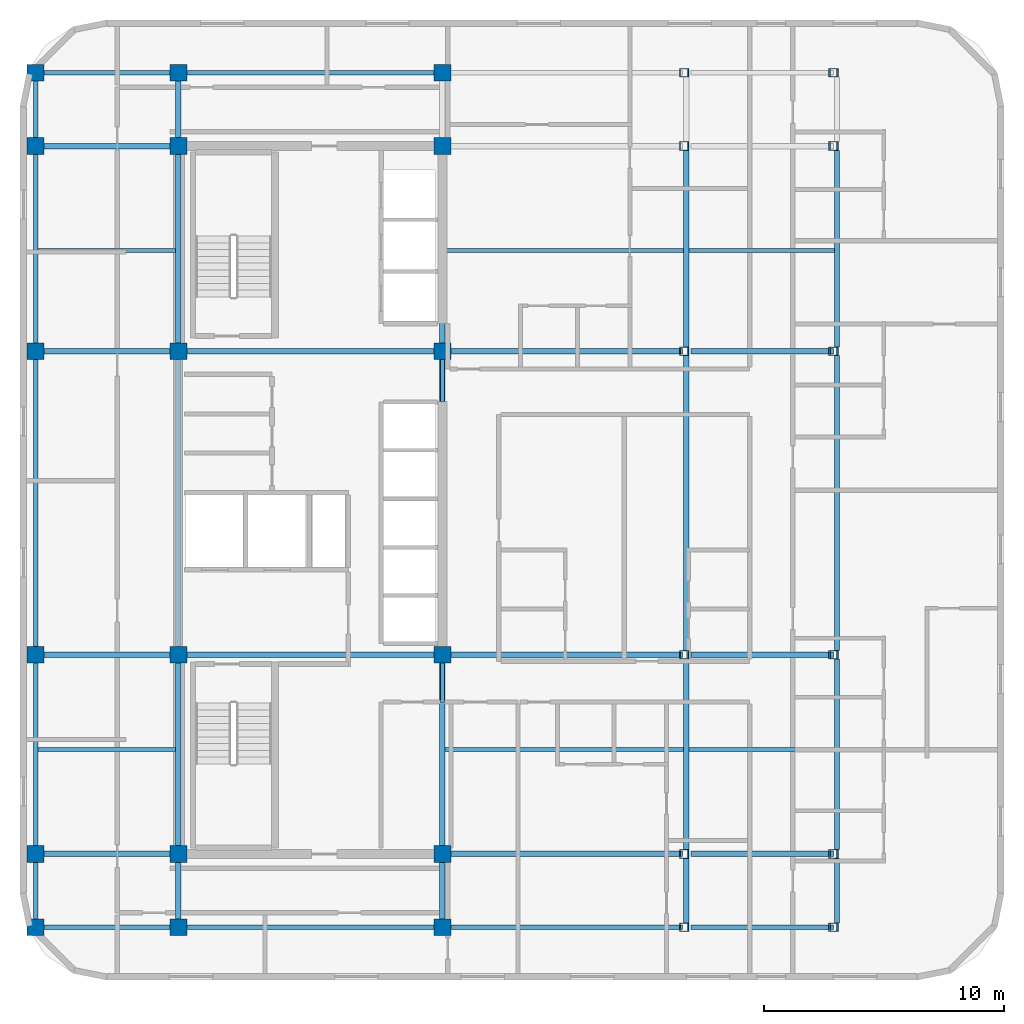
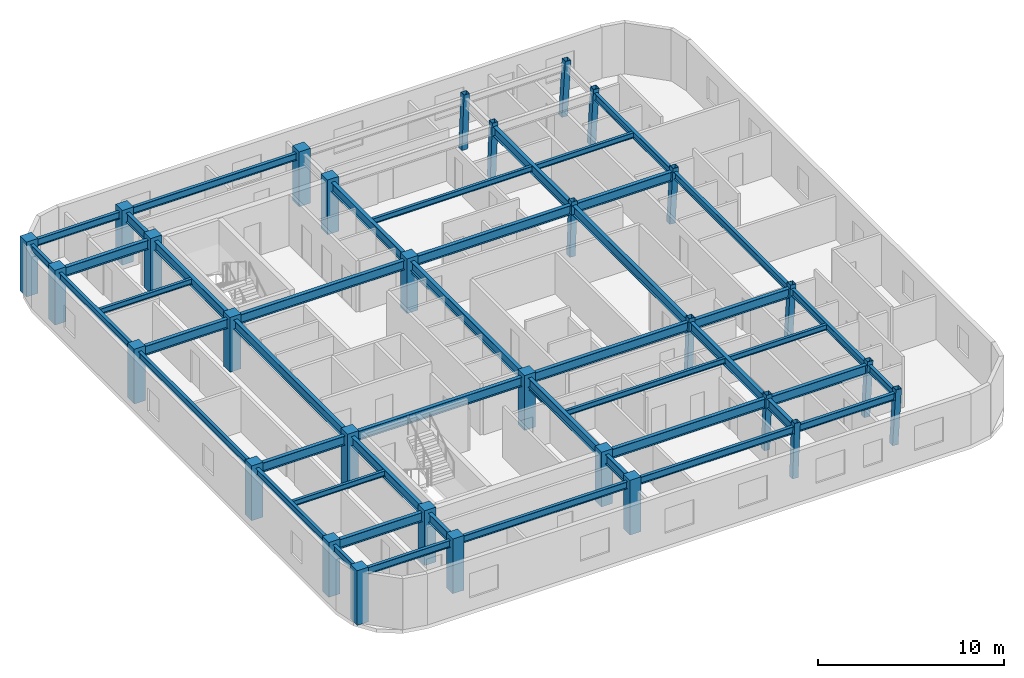
# One storey, part 1 of 8: 48 beams, 30 columns.
"""IFC4 building model written with IfcOpenShell, lengths in metres."""

from ifc_helpers import new_model, si_unit, direction, frame, origin, origin_2d, place, context, subcontext, project, spatial, rectangle, hollow_rectangle, i_section, extrude, material, material_profile, profile_set, type_object, element, save


model = new_model("IFC4")

# Units and contexts
model_context = context("Model", 3, precision=1e-05, world=origin(), true_north=direction((0.0, 1.0)))
body_context = subcontext(model_context, "Body", "Model", "MODEL_VIEW")
ifc_project = project(units=[si_unit("LENGTHUNIT", "METRE"), si_unit("AREAUNIT", "SQUARE_METRE"), si_unit("VOLUMEUNIT", "CUBIC_METRE"), si_unit("PLANEANGLEUNIT", "RADIAN"), si_unit("MASSUNIT", "GRAM", prefix="KILO")], contexts=[model_context])

# Site, building, storey
site_placement = place(None, origin())
site = spatial("IfcSite", under=ifc_project, at=site_placement, CompositionType="ELEMENT")
building_placement = place(site_placement, origin())
building = spatial("IfcBuilding", under=site, at=building_placement, Name="Ochreholt Gables", CompositionType="ELEMENT")
storey_placement = place(building_placement, frame((0.0, 0.0, 151.800048828125)))
storey = spatial("IfcBuildingStorey", under=building, at=storey_placement, Name="L39", CompositionType="ELEMENT", Elevation=151.800048828125)

# Columns
ifc_material_1 = material(Name="Steel CSA G40.21 350W", Category="steel")
ifc_material_profile_1 = material_profile(ifc_material_1, hollow_rectangle(XDim=0.35595703125, YDim=0.35595703125, WallThickness=0.01611328125, at=origin_2d()), Name="HSS356X356X16")
ifc_profile_set_1 = profile_set([ifc_material_profile_1], Name="Steel CSA G40.21 350W")
column_type_1 = type_object("IfcColumnType", Name="COL-HSS356-RAK", PredefinedType="COLUMN", material=ifc_profile_set_1)
for number, where, z_axis, x_axis, name in (
    (1, (45.2490234375, 9.25, 0.0), (0.034973505036, 0.0, 0.999388239847), (0.0, 1.0, 0.0), "L39 Column EMY2"),
    (2, (45.2490234375, 17.550048828125, 0.0), (0.034973505036, 0.0, 0.999388239847), (0.0, 1.0, 0.0), "L39 Column EMY3"),
    (3, (45.2490234375, 30.199951171875, 0.0), (0.034973505036, 0.0, 0.999388239847), (0.0, 1.0, 0.0), "L39 Column EMY4"),
    (4, (45.2490234375, 38.75, 0.0), (0.034973505036, 0.0, 0.999388239847), (0.0, 1.0, 0.0), "L39 Column EMY5"),
):
    element("IfcColumn", number, at=place(storey_placement, frame(where, z_axis=z_axis, x_axis=x_axis)), inside=storey, type_object=column_type_1, Name=name, PredefinedType="COLUMN", context=body_context, shape_type="SweptSolid", body=[
        extrude(hollow_rectangle(XDim=0.35595703125, YDim=0.35595703125, WallThickness=0.01611328125, at=origin_2d()), origin(), (0.0, 0.0, 1.0), 3.60205078125),
    ])
ifc_material_profile_2 = material_profile(ifc_material_1, hollow_rectangle(XDim=0.35595703125, YDim=0.35595703125, WallThickness=0.01611328125, at=origin_2d()), Name="HSS356X356X16")
ifc_profile_set_2 = profile_set([ifc_material_profile_2], Name="Steel CSA G40.21 350W")
column_type_2 = type_object("IfcColumnType", Name="COL-HSS356-RAKE", PredefinedType="COLUMN", material=ifc_profile_set_2)
for number, where, z_axis, x_axis, name in (
    (5, (45.2490234375, 6.199951171875, 0.0), (0.034973505036, 0.0, 0.999388239847), (0.0, 1.0, 0.0), "L39 Column EMY1"),
    (6, (45.2490234375, 41.800048828125, 0.0), (0.034973505036, 0.0, 0.999388239847), (0.0, 1.0, 0.0), "L39 Column EMY6"),
):
    element("IfcColumn", number, at=place(storey_placement, frame(where, z_axis=z_axis, x_axis=x_axis)), inside=storey, type_object=column_type_2, Name=name, PredefinedType="COLUMN", context=body_context, shape_type="SweptSolid", body=[
        extrude(hollow_rectangle(XDim=0.35595703125, YDim=0.35595703125, WallThickness=0.01611328125, at=origin_2d()), origin(), (0.0, 0.0, 1.0), 3.60205078125),
    ])
for number, where, z_axis, x_axis, name in (
    (7, (51.461181640625, 6.199951171875, 0.0), (0.057888518877, 0.0, 0.998323053617), (0.0, 1.0, 0.0), "L39 Column EEY1"),
    (8, (51.461181640625, 9.25, 0.0), (0.057888518877, 0.0, 0.998323053617), (0.0, 1.0, 0.0), "L39 Column EEY2"),
    (9, (51.461181640625, 17.550048828125, 0.0), (0.057888518877, 0.0, 0.998323053617), (0.0, 1.0, 0.0), "L39 Column EEY3"),
    (10, (51.461181640625, 30.199951171875, 0.0), (0.057888518877, 0.0, 0.998323053617), (0.0, 1.0, 0.0), "L39 Column EEY4"),
    (11, (51.461181640625, 38.75, 0.0), (0.057888518877, 0.0, 0.998323053617), (0.0, 1.0, 0.0), "L39 Column EEY5"),
    (12, (51.461181640625, 41.800048828125, 0.0), (0.057888518877, 0.0, 0.998323053617), (0.0, 1.0, 0.0), "L39 Column EEY6"),
):
    element("IfcColumn", number, at=place(storey_placement, frame(where, z_axis=z_axis, x_axis=x_axis)), inside=storey, type_object=column_type_2, Name=name, PredefinedType="COLUMN", context=body_context, shape_type="SweptSolid", body=[
        extrude(hollow_rectangle(XDim=0.35595703125, YDim=0.35595703125, WallThickness=0.01611328125, at=origin_2d()), origin(), (0.0, 0.0, 1.0), 3.60595703125),
    ])
ifc_material_2 = material(Name="Concrete 50 MPa", Category="concrete")
ifc_material_profile_3 = material_profile(ifc_material_2, rectangle(XDim=0.699951171875, YDim=0.699951171875, at=origin_2d()), Name="RC700X700")
ifc_profile_set_3 = profile_set([ifc_material_profile_3], Name="Concrete 50 MPa")
column_type_3 = type_object("IfcColumnType", Name="COL-RC700-EXT", PredefinedType="COLUMN", material=ifc_profile_set_3)
for number, where, z_axis, x_axis, name in (
    (13, (18.25, 6.199951171875, 0.0), (0.0, 0.0, 1.0), (1.0, 0.0, 0.0), "L39 Column W3Y1"),
    (14, (18.25, 9.25, 0.0), (0.0, 0.0, 1.0), (1.0, 0.0, 0.0), "L39 Column W3Y2"),
    (15, (18.25, 17.550048828125, 0.0), (0.0, 0.0, 1.0), (1.0, 0.0, 0.0), "L39 Column W3Y3"),
    (16, (18.25, 30.199951171875, 0.0), (0.0, 0.0, 1.0), (1.0, 0.0, 0.0), "L39 Column W3Y4"),
    (17, (18.25, 38.75, 0.0), (0.0, 0.0, 1.0), (1.0, 0.0, 0.0), "L39 Column W3Y5"),
    (18, (18.25, 41.800048828125, 0.0), (0.0, 0.0, 1.0), (1.0, 0.0, 0.0), "L39 Column W3Y6"),
    (19, (24.199951171875, 6.199951171875, 0.0), (0.0, 0.0, 1.0), (1.0, 0.0, 0.0), "L39 Column C1Y1"),
    (20, (24.199951171875, 41.800048828125, 0.0), (0.0, 0.0, 1.0), (1.0, 0.0, 0.0), "L39 Column C1Y6"),
    (21, (35.199951171875, 6.199951171875, 0.0), (0.0, 0.0, 1.0), (1.0, 0.0, 0.0), "L39 Column C2Y1"),
    (22, (35.199951171875, 41.800048828125, 0.0), (0.0, 0.0, 1.0), (1.0, 0.0, 0.0), "L39 Column C2Y6"),
):
    element("IfcColumn", number, at=place(storey_placement, frame(where, z_axis=z_axis, x_axis=x_axis)), inside=storey, type_object=column_type_3, Name=name, PredefinedType="COLUMN", context=body_context, shape_type="SweptSolid", body=[
        extrude(rectangle(XDim=0.699951171875, YDim=0.699951171875, at=origin_2d()), origin(), (0.0, 0.0, 1.0), 3.599853515625),
    ])
ifc_material_profile_4 = material_profile(ifc_material_2, rectangle(XDim=0.699951171875, YDim=0.699951171875, at=origin_2d()), Name="RC700X700")
ifc_profile_set_4 = profile_set([ifc_material_profile_4], Name="Concrete 50 MPa")
column_type_4 = type_object("IfcColumnType", Name="COL-RC700-INT", PredefinedType="COLUMN", material=ifc_profile_set_4)
for number, where, z_axis, x_axis, name in (
    (23, (24.199951171875, 9.25, 0.0), (0.0, 0.0, 1.0), (1.0, 0.0, 0.0), "L39 Column C1Y2"),
    (24, (24.199951171875, 17.550048828125, 0.0), (0.0, 0.0, 1.0), (1.0, 0.0, 0.0), "L39 Column C1Y3"),
    (25, (24.199951171875, 30.199951171875, 0.0), (0.0, 0.0, 1.0), (1.0, 0.0, 0.0), "L39 Column C1Y4"),
    (26, (24.199951171875, 38.75, 0.0), (0.0, 0.0, 1.0), (1.0, 0.0, 0.0), "L39 Column C1Y5"),
    (27, (35.199951171875, 9.25, 0.0), (0.0, 0.0, 1.0), (1.0, 0.0, 0.0), "L39 Column C2Y2"),
    (28, (35.199951171875, 17.550048828125, 0.0), (0.0, 0.0, 1.0), (1.0, 0.0, 0.0), "L39 Column C2Y3"),
    (29, (35.199951171875, 30.199951171875, 0.0), (0.0, 0.0, 1.0), (1.0, 0.0, 0.0), "L39 Column C2Y4"),
    (30, (35.199951171875, 38.75, 0.0), (0.0, 0.0, 1.0), (1.0, 0.0, 0.0), "L39 Column C2Y5"),
):
    element("IfcColumn", number, at=place(storey_placement, frame(where, z_axis=z_axis, x_axis=x_axis)), inside=storey, type_object=column_type_4, Name=name, PredefinedType="COLUMN", context=body_context, shape_type="SweptSolid", body=[
        extrude(rectangle(XDim=0.699951171875, YDim=0.699951171875, at=origin_2d()), origin(), (0.0, 0.0, 1.0), 3.599853515625),
    ])

# Beams
ifc_material_profile_5 = material_profile(ifc_material_1, i_section(OverallWidth=0.22900390625, OverallDepth=0.612060546875, WebThickness=0.011962890625, FlangeThickness=0.01953125, at=origin_2d()), Name="W610X125")
ifc_profile_set_5 = profile_set([ifc_material_profile_5], Name="Steel CSA G40.21 350W")
beam_type_1 = type_object("IfcBeamType", Name="BM-G-W610B", PredefinedType="BEAM", material=ifc_profile_set_5)
beam_1_placement = place(storey_placement, frame((18.599609375, 9.25, 3.053955078125), z_axis=(1.0, 0.0, 0.0), x_axis=(0.0, 1.0, 0.0)))
element("IfcBeam", 31, at=beam_1_placement, inside=storey, type_object=beam_type_1, Name="L39 Beam TBG-L39-W3C1-Y2", PredefinedType="BEAM", context=body_context, shape_type="SweptSolid", body=[
    extrude(i_section(OverallWidth=0.22900390625, OverallDepth=0.612060546875, WebThickness=0.011962890625, FlangeThickness=0.01953125, at=origin_2d()), origin(), (0.0, 0.0, 1.0), 5.250732421875),
])
beam_2_placement = place(storey_placement, frame((35.549560546875, 9.25, 3.053955078125), z_axis=(1.0, 0.0, 0.0), x_axis=(0.0, 1.0, 0.0)))
element("IfcBeam", 32, at=beam_2_placement, inside=storey, type_object=beam_type_1, Name="L39 Beam TBG-L39-C2EM-Y2", PredefinedType="BEAM", context=body_context, shape_type="SweptSolid", body=[
    extrude(i_section(OverallWidth=0.22900390625, OverallDepth=0.612060546875, WebThickness=0.011962890625, FlangeThickness=0.01953125, at=origin_2d()), origin(), (0.0, 0.0, 1.0), 9.64794921875),
])
beam_3_placement = place(storey_placement, frame((45.552490234375, 9.25, 3.053955078125), z_axis=(1.0, 0.0, 0.0), x_axis=(0.0, 1.0, 0.0)))
element("IfcBeam", 33, at=beam_3_placement, inside=storey, type_object=beam_type_1, Name="L39 Beam TBG-L39-EMEE-Y2", PredefinedType="BEAM", context=body_context, shape_type="SweptSolid", body=[
    extrude(i_section(OverallWidth=0.22900390625, OverallDepth=0.612060546875, WebThickness=0.011962890625, FlangeThickness=0.01953125, at=origin_2d()), origin(), (0.0, 0.0, 1.0), 5.93994140625),
])
beam_4_placement = place(storey_placement, frame((18.599609375, 17.550048828125, 3.053955078125), z_axis=(1.0, 0.0, 0.0), x_axis=(0.0, 1.0, 0.0)))
element("IfcBeam", 34, at=beam_4_placement, inside=storey, type_object=beam_type_1, Name="L39 Beam TBG-L39-W3C1-Y3", PredefinedType="BEAM", context=body_context, shape_type="SweptSolid", body=[
    extrude(i_section(OverallWidth=0.22900390625, OverallDepth=0.612060546875, WebThickness=0.011962890625, FlangeThickness=0.01953125, at=origin_2d()), origin(), (0.0, 0.0, 1.0), 5.250732421875),
])
beam_5_placement = place(storey_placement, frame((24.549560546875, 17.550048828125, 3.053955078125), z_axis=(1.0, 0.0, 0.0), x_axis=(0.0, 1.0, 0.0)))
element("IfcBeam", 35, at=beam_5_placement, inside=storey, type_object=beam_type_1, Name="L39 Beam TBG-L39-C1C2-Y3", PredefinedType="BEAM", context=body_context, shape_type="SweptSolid", body=[
    extrude(i_section(OverallWidth=0.22900390625, OverallDepth=0.612060546875, WebThickness=0.011962890625, FlangeThickness=0.01953125, at=origin_2d()), origin(), (0.0, 0.0, 1.0), 10.30078125),
])
beam_6_placement = place(storey_placement, frame((35.549560546875, 17.550048828125, 3.053955078125), z_axis=(1.0, 0.0, 0.0), x_axis=(0.0, 1.0, 0.0)))
element("IfcBeam", 36, at=beam_6_placement, inside=storey, type_object=beam_type_1, Name="L39 Beam TBG-L39-C2EM-Y3", PredefinedType="BEAM", context=body_context, shape_type="SweptSolid", body=[
    extrude(i_section(OverallWidth=0.22900390625, OverallDepth=0.612060546875, WebThickness=0.011962890625, FlangeThickness=0.01953125, at=origin_2d()), origin(), (0.0, 0.0, 1.0), 9.64794921875),
])
beam_7_placement = place(storey_placement, frame((45.552490234375, 17.550048828125, 3.053955078125), z_axis=(1.0, 0.0, 0.0), x_axis=(0.0, 1.0, 0.0)))
element("IfcBeam", 37, at=beam_7_placement, inside=storey, type_object=beam_type_1, Name="L39 Beam TBG-L39-EMEE-Y3", PredefinedType="BEAM", context=body_context, shape_type="SweptSolid", body=[
    extrude(i_section(OverallWidth=0.22900390625, OverallDepth=0.612060546875, WebThickness=0.011962890625, FlangeThickness=0.01953125, at=origin_2d()), origin(), (0.0, 0.0, 1.0), 5.93994140625),
])
beam_8_placement = place(storey_placement, frame((18.599609375, 30.199951171875, 3.053955078125), z_axis=(1.0, 0.0, 0.0), x_axis=(0.0, 1.0, 0.0)))
element("IfcBeam", 38, at=beam_8_placement, inside=storey, type_object=beam_type_1, Name="L39 Beam TBG-L39-W3C1-Y4", PredefinedType="BEAM", context=body_context, shape_type="SweptSolid", body=[
    extrude(i_section(OverallWidth=0.22900390625, OverallDepth=0.612060546875, WebThickness=0.011962890625, FlangeThickness=0.01953125, at=origin_2d()), origin(), (0.0, 0.0, 1.0), 5.250732421875),
])
beam_9_placement = place(storey_placement, frame((24.549560546875, 30.199951171875, 3.053955078125), z_axis=(1.0, 0.0, 0.0), x_axis=(0.0, 1.0, 0.0)))
element("IfcBeam", 39, at=beam_9_placement, inside=storey, type_object=beam_type_1, Name="L39 Beam TBG-L39-C1C2-Y4", PredefinedType="BEAM", context=body_context, shape_type="SweptSolid", body=[
    extrude(i_section(OverallWidth=0.22900390625, OverallDepth=0.612060546875, WebThickness=0.011962890625, FlangeThickness=0.01953125, at=origin_2d()), origin(), (0.0, 0.0, 1.0), 10.30078125),
])
beam_10_placement = place(storey_placement, frame((35.549560546875, 30.199951171875, 3.053955078125), z_axis=(1.0, 0.0, 0.0), x_axis=(0.0, 1.0, 0.0)))
element("IfcBeam", 40, at=beam_10_placement, inside=storey, type_object=beam_type_1, Name="L39 Beam TBG-L39-C2EM-Y4", PredefinedType="BEAM", context=body_context, shape_type="SweptSolid", body=[
    extrude(i_section(OverallWidth=0.22900390625, OverallDepth=0.612060546875, WebThickness=0.011962890625, FlangeThickness=0.01953125, at=origin_2d()), origin(), (0.0, 0.0, 1.0), 9.64794921875),
])
beam_11_placement = place(storey_placement, frame((45.552490234375, 30.199951171875, 3.053955078125), z_axis=(1.0, 0.0, 0.0), x_axis=(0.0, 1.0, 0.0)))
element("IfcBeam", 41, at=beam_11_placement, inside=storey, type_object=beam_type_1, Name="L39 Beam TBG-L39-EMEE-Y4", PredefinedType="BEAM", context=body_context, shape_type="SweptSolid", body=[
    extrude(i_section(OverallWidth=0.22900390625, OverallDepth=0.612060546875, WebThickness=0.011962890625, FlangeThickness=0.01953125, at=origin_2d()), origin(), (0.0, 0.0, 1.0), 5.93994140625),
])
beam_12_placement = place(storey_placement, frame((18.599609375, 38.75, 3.053955078125), z_axis=(1.0, 0.0, 0.0), x_axis=(0.0, 1.0, 0.0)))
element("IfcBeam", 42, at=beam_12_placement, inside=storey, type_object=beam_type_1, Name="L39 Beam TBG-L39-W3C1-Y5", PredefinedType="BEAM", context=body_context, shape_type="SweptSolid", body=[
    extrude(i_section(OverallWidth=0.22900390625, OverallDepth=0.612060546875, WebThickness=0.011962890625, FlangeThickness=0.01953125, at=origin_2d()), origin(), (0.0, 0.0, 1.0), 5.250732421875),
])
beam_13_placement = place(storey_placement, frame((24.199951171875, 6.549560546875, 3.053955078125), z_axis=(0.0, 1.0, 0.0), x_axis=(-1.0, 0.0, 0.0)))
element("IfcBeam", 43, at=beam_13_placement, inside=storey, type_object=beam_type_1, Name="L39 Beam TBN-L39-C1-Y1Y2", PredefinedType="BEAM", context=body_context, shape_type="SweptSolid", body=[
    extrude(i_section(OverallWidth=0.22900390625, OverallDepth=0.612060546875, WebThickness=0.011962890625, FlangeThickness=0.01953125, at=origin_2d()), origin(), (0.0, 0.0, 1.0), 2.350830078125),
])
beam_14_placement = place(storey_placement, frame((24.199951171875, 9.599609375, 3.053955078125), z_axis=(0.0, 1.0, 0.0), x_axis=(-1.0, 0.0, 0.0)))
element("IfcBeam", 44, at=beam_14_placement, inside=storey, type_object=beam_type_1, Name="L39 Beam TBN-L39-C1-Y2Y3", PredefinedType="BEAM", context=body_context, shape_type="SweptSolid", body=[
    extrude(i_section(OverallWidth=0.22900390625, OverallDepth=0.612060546875, WebThickness=0.011962890625, FlangeThickness=0.01953125, at=origin_2d()), origin(), (0.0, 0.0, 1.0), 7.600830078125),
])
beam_15_placement = place(storey_placement, frame((24.199951171875, 17.899658203125, 3.053955078125), z_axis=(0.0, 1.0, 0.0), x_axis=(-1.0, 0.0, 0.0)))
element("IfcBeam", 45, at=beam_15_placement, inside=storey, type_object=beam_type_1, Name="L39 Beam TBN-L39-C1-Y3Y4", PredefinedType="BEAM", context=body_context, shape_type="SweptSolid", body=[
    extrude(i_section(OverallWidth=0.22900390625, OverallDepth=0.612060546875, WebThickness=0.011962890625, FlangeThickness=0.01953125, at=origin_2d()), origin(), (0.0, 0.0, 1.0), 11.95068359375),
])
beam_16_placement = place(storey_placement, frame((24.199951171875, 30.549560546875, 3.053955078125), z_axis=(0.0, 1.0, 0.0), x_axis=(-1.0, 0.0, 0.0)))
element("IfcBeam", 46, at=beam_16_placement, inside=storey, type_object=beam_type_1, Name="L39 Beam TBN-L39-C1-Y4Y5", PredefinedType="BEAM", context=body_context, shape_type="SweptSolid", body=[
    extrude(i_section(OverallWidth=0.22900390625, OverallDepth=0.612060546875, WebThickness=0.011962890625, FlangeThickness=0.01953125, at=origin_2d()), origin(), (0.0, 0.0, 1.0), 7.850830078125),
])
for number, where, z_axis, x_axis, name in (
    (47, (24.199951171875, 39.099609375, 3.053955078125), (0.0, 1.0, 0.0), (-1.0, 0.0, 0.0), "L39 Beam TBN-L39-C1-Y5Y6"),
    (48, (35.199951171875, 6.549560546875, 3.053955078125), (0.0, 1.0, 0.0), (-1.0, 0.0, 0.0), "L39 Beam TBN-L39-C2-Y1Y2"),
):
    element("IfcBeam", number, at=place(storey_placement, frame(where, z_axis=z_axis, x_axis=x_axis)), inside=storey, type_object=beam_type_1, Name=name, PredefinedType="BEAM", context=body_context, shape_type="SweptSolid", body=[
        extrude(i_section(OverallWidth=0.22900390625, OverallDepth=0.612060546875, WebThickness=0.011962890625, FlangeThickness=0.01953125, at=origin_2d()), origin(), (0.0, 0.0, 1.0), 2.350830078125),
    ])
beam_17_placement = place(storey_placement, frame((35.199951171875, 9.599609375, 3.053955078125), z_axis=(0.0, 1.0, 0.0), x_axis=(-1.0, 0.0, 0.0)))
element("IfcBeam", 49, at=beam_17_placement, inside=storey, type_object=beam_type_1, Name="L39 Beam TBN-L39-C2-Y2Y3", PredefinedType="BEAM", context=body_context, shape_type="SweptSolid", body=[
    extrude(i_section(OverallWidth=0.22900390625, OverallDepth=0.612060546875, WebThickness=0.011962890625, FlangeThickness=0.01953125, at=origin_2d()), origin(), (0.0, 0.0, 1.0), 7.600830078125),
])
beam_18_placement = place(storey_placement, frame((35.199951171875, 17.899658203125, 3.053955078125), z_axis=(0.0, 1.0, 0.0), x_axis=(-1.0, 0.0, 0.0)))
element("IfcBeam", 50, at=beam_18_placement, inside=storey, type_object=beam_type_1, Name="L39 Beam TBN-L39-C2-Y3Y4", PredefinedType="BEAM", context=body_context, shape_type="SweptSolid", body=[
    extrude(i_section(OverallWidth=0.22900390625, OverallDepth=0.612060546875, WebThickness=0.011962890625, FlangeThickness=0.01953125, at=origin_2d()), origin(), (0.0, 0.0, 1.0), 11.95068359375),
])
beam_19_placement = place(storey_placement, frame((35.199951171875, 30.549560546875, 3.053955078125), z_axis=(0.0, 1.0, 0.0), x_axis=(-1.0, 0.0, 0.0)))
element("IfcBeam", 51, at=beam_19_placement, inside=storey, type_object=beam_type_1, Name="L39 Beam TBN-L39-C2-Y4Y5", PredefinedType="BEAM", context=body_context, shape_type="SweptSolid", body=[
    extrude(i_section(OverallWidth=0.22900390625, OverallDepth=0.612060546875, WebThickness=0.011962890625, FlangeThickness=0.01953125, at=origin_2d()), origin(), (0.0, 0.0, 1.0), 7.850830078125),
])
beam_20_placement = place(storey_placement, frame((45.35791015625, 6.377685546875, 3.053955078125), z_axis=(0.0, 1.0, 0.0), x_axis=(-1.0, 0.0, 0.0)))
element("IfcBeam", 52, at=beam_20_placement, inside=storey, type_object=beam_type_1, Name="L39 Beam TBN-L39-EM-Y1Y2", PredefinedType="BEAM", context=body_context, shape_type="SweptSolid", body=[
    extrude(i_section(OverallWidth=0.22900390625, OverallDepth=0.612060546875, WebThickness=0.011962890625, FlangeThickness=0.01953125, at=origin_2d()), origin(), (0.0, 0.0, 1.0), 2.69482421875),
])
beam_21_placement = place(storey_placement, frame((45.35791015625, 9.427490234375, 3.053955078125), z_axis=(0.0, 1.0, 0.0), x_axis=(-1.0, 0.0, 0.0)))
element("IfcBeam", 53, at=beam_21_placement, inside=storey, type_object=beam_type_1, Name="L39 Beam TBN-L39-EM-Y2Y3", PredefinedType="BEAM", context=body_context, shape_type="SweptSolid", body=[
    extrude(i_section(OverallWidth=0.22900390625, OverallDepth=0.612060546875, WebThickness=0.011962890625, FlangeThickness=0.01953125, at=origin_2d()), origin(), (0.0, 0.0, 1.0), 7.94482421875),
])
beam_22_placement = place(storey_placement, frame((45.35791015625, 17.7275390625, 3.053955078125), z_axis=(0.0, 1.0, 0.0), x_axis=(-1.0, 0.0, 0.0)))
element("IfcBeam", 54, at=beam_22_placement, inside=storey, type_object=beam_type_1, Name="L39 Beam TBN-L39-EM-Y3Y4", PredefinedType="BEAM", context=body_context, shape_type="SweptSolid", body=[
    extrude(i_section(OverallWidth=0.22900390625, OverallDepth=0.612060546875, WebThickness=0.011962890625, FlangeThickness=0.01953125, at=origin_2d()), origin(), (0.0, 0.0, 1.0), 12.294921875),
])
beam_23_placement = place(storey_placement, frame((45.35791015625, 30.377685546875, 3.053955078125), z_axis=(0.0, 1.0, 0.0), x_axis=(-1.0, 0.0, 0.0)))
element("IfcBeam", 55, at=beam_23_placement, inside=storey, type_object=beam_type_1, Name="L39 Beam TBN-L39-EM-Y4Y5", PredefinedType="BEAM", context=body_context, shape_type="SweptSolid", body=[
    extrude(i_section(OverallWidth=0.22900390625, OverallDepth=0.612060546875, WebThickness=0.011962890625, FlangeThickness=0.01953125, at=origin_2d()), origin(), (0.0, 0.0, 1.0), 8.19482421875),
])
ifc_material_profile_6 = material_profile(ifc_material_1, i_section(OverallWidth=0.172119140625, OverallDepth=0.35791015625, WebThickness=0.0078125, FlangeThickness=0.01318359375, at=origin_2d()), Name="W360X57")
ifc_profile_set_6 = profile_set([ifc_material_profile_6], Name="Steel CSA G40.21 350W")
beam_type_2 = type_object("IfcBeamType", Name="BM-J-W360B", PredefinedType="JOIST", material=ifc_profile_set_6)
beam_24_placement = place(storey_placement, frame((18.345703125, 13.60009765625, 3.180908203125), z_axis=(1.0, 0.0, 0.0), x_axis=(0.0, 1.0, 0.0)))
element("IfcBeam", 56, at=beam_24_placement, inside=storey, type_object=beam_type_2, Name="L39 Beam TBJ-L39-J1-W3C1", PredefinedType="JOIST", context=body_context, shape_type="SweptSolid", body=[
    extrude(i_section(OverallWidth=0.172119140625, OverallDepth=0.35791015625, WebThickness=0.0078125, FlangeThickness=0.01318359375, at=origin_2d()), origin(), (0.0, 0.0, 1.0), 5.740234375),
])
beam_25_placement = place(storey_placement, frame((35.314208984375, 13.60009765625, 3.180908203125), z_axis=(1.0, 0.0, 0.0), x_axis=(0.0, 1.0, 0.0)))
element("IfcBeam", 57, at=beam_25_placement, inside=storey, type_object=beam_type_2, Name="L39 Beam TBJ-L39-J1-C2EM", PredefinedType="JOIST", context=body_context, shape_type="SweptSolid", body=[
    extrude(i_section(OverallWidth=0.172119140625, OverallDepth=0.35791015625, WebThickness=0.0078125, FlangeThickness=0.01318359375, at=origin_2d()), origin(), (0.0, 0.0, 1.0), 9.929443359375),
])
beam_26_placement = place(storey_placement, frame((45.471923828125, 13.60009765625, 3.180908203125), z_axis=(1.0, 0.0, 0.0), x_axis=(0.0, 1.0, 0.0)))
element("IfcBeam", 58, at=beam_26_placement, inside=storey, type_object=beam_type_2, Name="L39 Beam TBJ-L39-J1-EMEE", PredefinedType="JOIST", context=body_context, shape_type="SweptSolid", body=[
    extrude(i_section(OverallWidth=0.172119140625, OverallDepth=0.35791015625, WebThickness=0.0078125, FlangeThickness=0.01318359375, at=origin_2d()), origin(), (0.0, 0.0, 1.0), 6.073974609375),
])
beam_27_placement = place(storey_placement, frame((18.345703125, 34.39990234375, 3.180908203125), z_axis=(1.0, 0.0, 0.0), x_axis=(0.0, 1.0, 0.0)))
element("IfcBeam", 59, at=beam_27_placement, inside=storey, type_object=beam_type_2, Name="L39 Beam TBJ-L39-J2-W3C1", PredefinedType="JOIST", context=body_context, shape_type="SweptSolid", body=[
    extrude(i_section(OverallWidth=0.172119140625, OverallDepth=0.35791015625, WebThickness=0.0078125, FlangeThickness=0.01318359375, at=origin_2d()), origin(), (0.0, 0.0, 1.0), 5.740234375),
])
beam_28_placement = place(storey_placement, frame((35.314208984375, 34.39990234375, 3.180908203125), z_axis=(1.0, 0.0, 0.0), x_axis=(0.0, 1.0, 0.0)))
element("IfcBeam", 60, at=beam_28_placement, inside=storey, type_object=beam_type_2, Name="L39 Beam TBJ-L39-J2-C2EM", PredefinedType="JOIST", context=body_context, shape_type="SweptSolid", body=[
    extrude(i_section(OverallWidth=0.172119140625, OverallDepth=0.35791015625, WebThickness=0.0078125, FlangeThickness=0.01318359375, at=origin_2d()), origin(), (0.0, 0.0, 1.0), 9.929443359375),
])
beam_29_placement = place(storey_placement, frame((45.471923828125, 34.39990234375, 3.180908203125), z_axis=(1.0, 0.0, 0.0), x_axis=(0.0, 1.0, 0.0)))
element("IfcBeam", 61, at=beam_29_placement, inside=storey, type_object=beam_type_2, Name="L39 Beam TBJ-L39-J2-EMEE", PredefinedType="JOIST", context=body_context, shape_type="SweptSolid", body=[
    extrude(i_section(OverallWidth=0.172119140625, OverallDepth=0.35791015625, WebThickness=0.0078125, FlangeThickness=0.01318359375, at=origin_2d()), origin(), (0.0, 0.0, 1.0), 6.073974609375),
])
ifc_material_profile_7 = material_profile(ifc_material_1, i_section(OverallWidth=0.1650390625, OverallDepth=0.200927734375, WebThickness=0.006103515625, FlangeThickness=0.01025390625, at=origin_2d()), Name="W200X36")
ifc_profile_set_7 = profile_set([ifc_material_profile_7], Name="Steel CSA G40.21 350W")
beam_type_3 = type_object("IfcBeamType", Name="BM-LIN-W200", PredefinedType="LINTEL", material=ifc_profile_set_7)
beam_30_placement = place(storey_placement, frame((35.2099609375, 15.550048828125, 2.6474609375), z_axis=(0.0, 1.0, 0.0), x_axis=(-1.0, 0.0, 0.0)))
element("IfcBeam", 62, at=beam_30_placement, inside=storey, type_object=beam_type_3, Name="L39 Core Coupling Lintel CPS", PredefinedType="LINTEL", context=body_context, shape_type="SweptSolid", body=[
    extrude(i_section(OverallWidth=0.1650390625, OverallDepth=0.200927734375, WebThickness=0.006103515625, FlangeThickness=0.01025390625, at=origin_2d()), origin(), (0.0, 0.0, 1.0), 1.64990234375),
])
beam_31_placement = place(storey_placement, frame((35.2099609375, 28.10009765625, 2.6474609375), z_axis=(0.0, 1.0, 0.0), x_axis=(-1.0, 0.0, 0.0)))
element("IfcBeam", 63, at=beam_31_placement, inside=storey, type_object=beam_type_3, Name="L39 Core Coupling Lintel CPN", PredefinedType="LINTEL", context=body_context, shape_type="SweptSolid", body=[
    extrude(i_section(OverallWidth=0.1650390625, OverallDepth=0.200927734375, WebThickness=0.006103515625, FlangeThickness=0.01025390625, at=origin_2d()), origin(), (0.0, 0.0, 1.0), 1.75),
])
ifc_material_profile_8 = material_profile(ifc_material_1, i_section(OverallWidth=0.19189453125, OverallDepth=0.462890625, WebThickness=0.010498046875, FlangeThickness=0.017578125, at=origin_2d()), Name="W460X89")
ifc_profile_set_8 = profile_set([ifc_material_profile_8], Name="Steel CSA G40.21 350W")
beam_type_4 = type_object("IfcBeamType", Name="BM-SP-W460A", PredefinedType="SPANDREL", material=ifc_profile_set_8)
beam_32_placement = place(storey_placement, frame((18.599609375, 6.199951171875, 3.12841796875), z_axis=(1.0, 0.0, 0.0), x_axis=(0.0, 1.0, 0.0)))
element("IfcBeam", 64, at=beam_32_placement, inside=storey, type_object=beam_type_4, Name="L39 Beam TBG-L39-W3C1-Y1", PredefinedType="SPANDREL", context=body_context, shape_type="SweptSolid", body=[
    extrude(i_section(OverallWidth=0.19189453125, OverallDepth=0.462890625, WebThickness=0.010498046875, FlangeThickness=0.017578125, at=origin_2d()), origin(), (0.0, 0.0, 1.0), 5.250732421875),
])
beam_33_placement = place(storey_placement, frame((24.549560546875, 6.199951171875, 3.12841796875), z_axis=(1.0, 0.0, 0.0), x_axis=(0.0, 1.0, 0.0)))
element("IfcBeam", 65, at=beam_33_placement, inside=storey, type_object=beam_type_4, Name="L39 Beam TBG-L39-C1C2-Y1", PredefinedType="SPANDREL", context=body_context, shape_type="SweptSolid", body=[
    extrude(i_section(OverallWidth=0.19189453125, OverallDepth=0.462890625, WebThickness=0.010498046875, FlangeThickness=0.017578125, at=origin_2d()), origin(), (0.0, 0.0, 1.0), 10.30078125),
])
beam_34_placement = place(storey_placement, frame((35.549560546875, 6.199951171875, 3.12841796875), z_axis=(1.0, 0.0, 0.0), x_axis=(0.0, 1.0, 0.0)))
element("IfcBeam", 66, at=beam_34_placement, inside=storey, type_object=beam_type_4, Name="L39 Beam TBG-L39-C2EM-Y1", PredefinedType="SPANDREL", context=body_context, shape_type="SweptSolid", body=[
    extrude(i_section(OverallWidth=0.19189453125, OverallDepth=0.462890625, WebThickness=0.010498046875, FlangeThickness=0.017578125, at=origin_2d()), origin(), (0.0, 0.0, 1.0), 9.64794921875),
])
beam_35_placement = place(storey_placement, frame((45.552490234375, 6.199951171875, 3.12841796875), z_axis=(1.0, 0.0, 0.0), x_axis=(0.0, 1.0, 0.0)))
element("IfcBeam", 67, at=beam_35_placement, inside=storey, type_object=beam_type_4, Name="L39 Beam TBG-L39-EMEE-Y1", PredefinedType="SPANDREL", context=body_context, shape_type="SweptSolid", body=[
    extrude(i_section(OverallWidth=0.19189453125, OverallDepth=0.462890625, WebThickness=0.010498046875, FlangeThickness=0.017578125, at=origin_2d()), origin(), (0.0, 0.0, 1.0), 5.93994140625),
])
beam_36_placement = place(storey_placement, frame((18.599609375, 41.800048828125, 3.12841796875), z_axis=(1.0, 0.0, 0.0), x_axis=(0.0, 1.0, 0.0)))
element("IfcBeam", 68, at=beam_36_placement, inside=storey, type_object=beam_type_4, Name="L39 Beam TBG-L39-W3C1-Y6", PredefinedType="SPANDREL", context=body_context, shape_type="SweptSolid", body=[
    extrude(i_section(OverallWidth=0.19189453125, OverallDepth=0.462890625, WebThickness=0.010498046875, FlangeThickness=0.017578125, at=origin_2d()), origin(), (0.0, 0.0, 1.0), 5.250732421875),
])
beam_37_placement = place(storey_placement, frame((24.549560546875, 41.800048828125, 3.12841796875), z_axis=(1.0, 0.0, 0.0), x_axis=(0.0, 1.0, 0.0)))
element("IfcBeam", 69, at=beam_37_placement, inside=storey, type_object=beam_type_4, Name="L39 Beam TBG-L39-C1C2-Y6", PredefinedType="SPANDREL", context=body_context, shape_type="SweptSolid", body=[
    extrude(i_section(OverallWidth=0.19189453125, OverallDepth=0.462890625, WebThickness=0.010498046875, FlangeThickness=0.017578125, at=origin_2d()), origin(), (0.0, 0.0, 1.0), 10.30078125),
])
beam_38_placement = place(storey_placement, frame((18.25, 6.549560546875, 3.12841796875), z_axis=(0.0, 1.0, 0.0), x_axis=(-1.0, 0.0, 0.0)))
element("IfcBeam", 70, at=beam_38_placement, inside=storey, type_object=beam_type_4, Name="L39 Beam TBN-L39-W3-Y1Y2", PredefinedType="SPANDREL", context=body_context, shape_type="SweptSolid", body=[
    extrude(i_section(OverallWidth=0.19189453125, OverallDepth=0.462890625, WebThickness=0.010498046875, FlangeThickness=0.017578125, at=origin_2d()), origin(), (0.0, 0.0, 1.0), 2.350830078125),
])
beam_39_placement = place(storey_placement, frame((18.25, 9.599609375, 3.12841796875), z_axis=(0.0, 1.0, 0.0), x_axis=(-1.0, 0.0, 0.0)))
element("IfcBeam", 71, at=beam_39_placement, inside=storey, type_object=beam_type_4, Name="L39 Beam TBN-L39-W3-Y2Y3", PredefinedType="SPANDREL", context=body_context, shape_type="SweptSolid", body=[
    extrude(i_section(OverallWidth=0.19189453125, OverallDepth=0.462890625, WebThickness=0.010498046875, FlangeThickness=0.017578125, at=origin_2d()), origin(), (0.0, 0.0, 1.0), 7.600830078125),
])
beam_40_placement = place(storey_placement, frame((18.25, 17.899658203125, 3.12841796875), z_axis=(0.0, 1.0, 0.0), x_axis=(-1.0, 0.0, 0.0)))
element("IfcBeam", 72, at=beam_40_placement, inside=storey, type_object=beam_type_4, Name="L39 Beam TBN-L39-W3-Y3Y4", PredefinedType="SPANDREL", context=body_context, shape_type="SweptSolid", body=[
    extrude(i_section(OverallWidth=0.19189453125, OverallDepth=0.462890625, WebThickness=0.010498046875, FlangeThickness=0.017578125, at=origin_2d()), origin(), (0.0, 0.0, 1.0), 11.95068359375),
])
beam_41_placement = place(storey_placement, frame((18.25, 30.549560546875, 3.12841796875), z_axis=(0.0, 1.0, 0.0), x_axis=(-1.0, 0.0, 0.0)))
element("IfcBeam", 73, at=beam_41_placement, inside=storey, type_object=beam_type_4, Name="L39 Beam TBN-L39-W3-Y4Y5", PredefinedType="SPANDREL", context=body_context, shape_type="SweptSolid", body=[
    extrude(i_section(OverallWidth=0.19189453125, OverallDepth=0.462890625, WebThickness=0.010498046875, FlangeThickness=0.017578125, at=origin_2d()), origin(), (0.0, 0.0, 1.0), 7.850830078125),
])
beam_42_placement = place(storey_placement, frame((18.25, 39.099609375, 3.12841796875), z_axis=(0.0, 1.0, 0.0), x_axis=(-1.0, 0.0, 0.0)))
element("IfcBeam", 74, at=beam_42_placement, inside=storey, type_object=beam_type_4, Name="L39 Beam TBN-L39-W3-Y5Y6", PredefinedType="SPANDREL", context=body_context, shape_type="SweptSolid", body=[
    extrude(i_section(OverallWidth=0.19189453125, OverallDepth=0.462890625, WebThickness=0.010498046875, FlangeThickness=0.017578125, at=origin_2d()), origin(), (0.0, 0.0, 1.0), 2.350830078125),
])
beam_43_placement = place(storey_placement, frame((51.6416015625, 6.377685546875, 3.12841796875), z_axis=(0.0, 1.0, 0.0), x_axis=(-1.0, 0.0, 0.0)))
element("IfcBeam", 75, at=beam_43_placement, inside=storey, type_object=beam_type_4, Name="L39 Beam TBN-L39-EE-Y1Y2", PredefinedType="SPANDREL", context=body_context, shape_type="SweptSolid", body=[
    extrude(i_section(OverallWidth=0.19189453125, OverallDepth=0.462890625, WebThickness=0.010498046875, FlangeThickness=0.017578125, at=origin_2d()), origin(), (0.0, 0.0, 1.0), 2.69482421875),
])
beam_44_placement = place(storey_placement, frame((51.6416015625, 9.427490234375, 3.12841796875), z_axis=(0.0, 1.0, 0.0), x_axis=(-1.0, 0.0, 0.0)))
element("IfcBeam", 76, at=beam_44_placement, inside=storey, type_object=beam_type_4, Name="L39 Beam TBN-L39-EE-Y2Y3", PredefinedType="SPANDREL", context=body_context, shape_type="SweptSolid", body=[
    extrude(i_section(OverallWidth=0.19189453125, OverallDepth=0.462890625, WebThickness=0.010498046875, FlangeThickness=0.017578125, at=origin_2d()), origin(), (0.0, 0.0, 1.0), 7.94482421875),
])
beam_45_placement = place(storey_placement, frame((51.6416015625, 17.7275390625, 3.12841796875), z_axis=(0.0, 1.0, 0.0), x_axis=(-1.0, 0.0, 0.0)))
element("IfcBeam", 77, at=beam_45_placement, inside=storey, type_object=beam_type_4, Name="L39 Beam TBN-L39-EE-Y3Y4", PredefinedType="SPANDREL", context=body_context, shape_type="SweptSolid", body=[
    extrude(i_section(OverallWidth=0.19189453125, OverallDepth=0.462890625, WebThickness=0.010498046875, FlangeThickness=0.017578125, at=origin_2d()), origin(), (0.0, 0.0, 1.0), 12.294921875),
])
beam_46_placement = place(storey_placement, frame((51.6416015625, 30.377685546875, 3.12841796875), z_axis=(0.0, 1.0, 0.0), x_axis=(-1.0, 0.0, 0.0)))
element("IfcBeam", 78, at=beam_46_placement, inside=storey, type_object=beam_type_4, Name="L39 Beam TBN-L39-EE-Y4Y5", PredefinedType="SPANDREL", context=body_context, shape_type="SweptSolid", body=[
    extrude(i_section(OverallWidth=0.19189453125, OverallDepth=0.462890625, WebThickness=0.010498046875, FlangeThickness=0.017578125, at=origin_2d()), origin(), (0.0, 0.0, 1.0), 8.19482421875),
])

save(model, "model.ifc")
